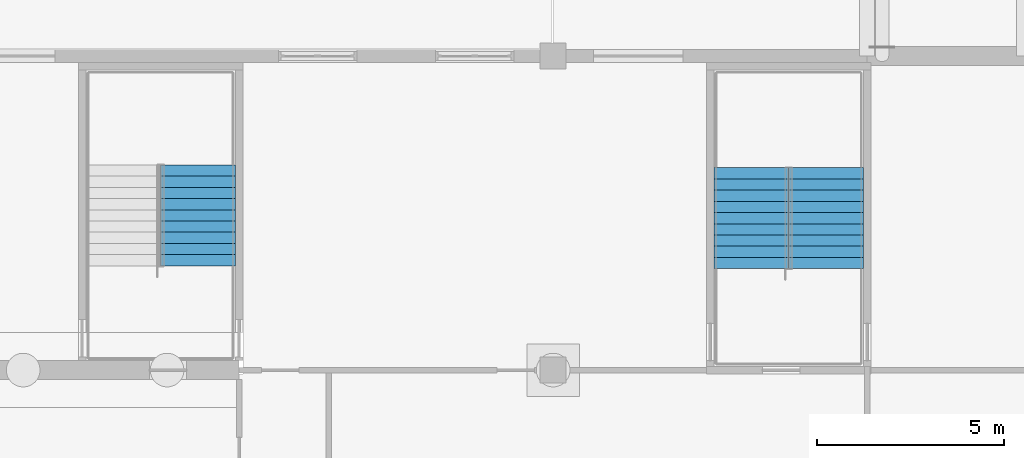
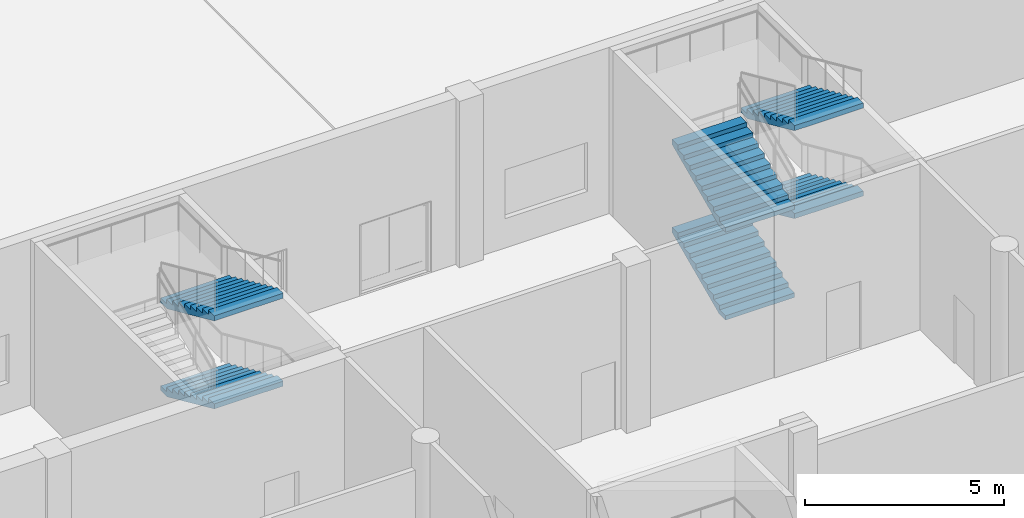
# One storey, part 52 of 74: 6 stair flights, 2 elements without a shape of their own.
"""IFC4 building model written with IfcOpenShell, lengths in metres."""

from ifc_helpers import new_model, si_unit, direction, frame, origin, place, context, subcontext, project, spatial, faceted_brep, material, type_object, element, aggregate, save


model = new_model("IFC4")

# Units and contexts
model_context = context("Model", 3, precision=1e-05, world=origin(), true_north=direction((0.0, 1.0)))
body_context = subcontext(model_context, "Body", "Model", "MODEL_VIEW")
ifc_project = project(units=[si_unit("LENGTHUNIT", "METRE"), si_unit("AREAUNIT", "SQUARE_METRE"), si_unit("VOLUMEUNIT", "CUBIC_METRE"), si_unit("PLANEANGLEUNIT", "RADIAN"), si_unit("MASSUNIT", "GRAM", prefix="KILO")], contexts=[model_context])

# Site, building, storey
site_placement = place(None, origin())
site = spatial("IfcSite", under=ifc_project, at=site_placement, CompositionType="ELEMENT")
building_placement = place(site_placement, origin())
building = spatial("IfcBuilding", under=site, at=building_placement, Name="Rulbaag Community and Learning Centre", CompositionType="ELEMENT")
storey_placement = place(building_placement, origin())
storey = spatial("IfcBuildingStorey", under=building, at=storey_placement, Name="L00", CompositionType="ELEMENT", Elevation=0.0)

# Stair, stair flights
ifc_material = material(Name="Concrete M40", Category="concrete")
stair_type = type_object("IfcStairType", Name="ST-2000 STAIR 2000 WIDE", PredefinedType="HALF_TURN_STAIR", material=ifc_material)
stair_1_placement = place(storey_placement, origin())
stair_1 = element("IfcStair", 1, at=stair_1_placement, inside=storey, type_object=stair_type, Name="Stair ST-H0 L00", PredefinedType="HALF_TURN_STAIR")
stair_flight_type = type_object("IfcStairFlightType", Name="FL-2000 FLIGHT 2000 WIDE Concrete M40", PredefinedType="STRAIGHT", material=ifc_material)
stair_flight_1_placement = place(storey_placement, frame((24.10009765625, 47.487548828125, 1.35009765625), z_axis=(0.0, 0.0, 1.0), x_axis=(0.0, -1.0, 0.0)))
stair_flight_1 = element("IfcStairFlight", 2, at=stair_flight_1_placement, type_object=stair_flight_type, Name="ST-H0 flight 2", NumberOfRisers=10, NumberOfTreads=9, PredefinedType="STRAIGHT", RiserHeight=0.135, TreadLength=0.3, context=body_context, shape_type="Brep", body=[
    faceted_brep([(0.3408203125, -1.0, 0.0), (2.699951171875, -1.0, 1.0615234375), (2.699951171875, -1.0, 1.215087890625), (2.39990234375, -1.0, 1.215087890625), (2.39990234375, -1.0, 1.080078125), (2.10009765625, -1.0, 1.080078125), (2.10009765625, -1.0, 0.945068359375), (1.800048828125, -1.0, 0.945068359375), (1.800048828125, -1.0, 0.81005859375), (1.5, -1.0, 0.81005859375), (1.5, -1.0, 0.675048828125), (1.199951171875, -1.0, 0.675048828125), (1.199951171875, -1.0, 0.5400390625), (0.89990234375, -1.0, 0.5400390625), (0.89990234375, -1.0, 0.405029296875), (0.60009765625, -1.0, 0.405029296875), (0.60009765625, -1.0, 0.27001953125), (0.300048828125, -1.0, 0.27001953125), (0.300048828125, -1.0, 0.135009765625), (0.0, -1.0, 0.135009765625), (0.0, -1.0, 0.0), (0.0, 1.0, 0.0), (0.0, 1.0, 0.135009765625), (0.300048828125, 1.0, 0.135009765625), (0.300048828125, 1.0, 0.27001953125), (0.60009765625, 1.0, 0.27001953125), (0.60009765625, 1.0, 0.405029296875), (0.89990234375, 1.0, 0.405029296875), (0.89990234375, 1.0, 0.5400390625), (1.199951171875, 1.0, 0.5400390625), (1.199951171875, 1.0, 0.675048828125), (1.5, 1.0, 0.675048828125), (1.5, 1.0, 0.81005859375), (1.800048828125, 1.0, 0.81005859375), (1.800048828125, 1.0, 0.945068359375), (2.10009765625, 1.0, 0.945068359375), (2.10009765625, 1.0, 1.080078125), (2.39990234375, 1.0, 1.080078125), (2.39990234375, 1.0, 1.215087890625), (2.699951171875, 1.0, 1.215087890625), (2.699951171875, 1.0, 1.0615234375), (0.3408203125, 1.0, 0.0), (0.0, -0.333251953125, 0.135009765625), (0.0, -0.333251953125, 0.0), (0.0, 0.333251953125, 0.135009765625), (0.0, 0.333251953125, 0.0), (0.300048828125, -0.333251953125, 0.135009765625), (0.300048828125, 0.333251953125, 0.135009765625), (0.300048828125, -0.333251953125, 0.27001953125), (0.300048828125, 0.333251953125, 0.27001953125), (0.60009765625, -0.333251953125, 0.27001953125), (0.60009765625, 0.333251953125, 0.27001953125), (0.60009765625, -0.333251953125, 0.405029296875), (0.60009765625, 0.333251953125, 0.405029296875), (0.89990234375, -0.333251953125, 0.405029296875), (0.89990234375, 0.333251953125, 0.405029296875), (0.89990234375, -0.333251953125, 0.5400390625), (0.89990234375, 0.333251953125, 0.5400390625), (1.199951171875, -0.333251953125, 0.5400390625), (1.199951171875, 0.333251953125, 0.5400390625), (1.199951171875, -0.333251953125, 0.675048828125), (1.199951171875, 0.333251953125, 0.675048828125), (1.5, -0.333251953125, 0.675048828125), (1.5, 0.333251953125, 0.675048828125), (1.5, -0.333251953125, 0.81005859375), (1.5, 0.333251953125, 0.81005859375), (1.800048828125, -0.333251953125, 0.81005859375), (1.800048828125, 0.333251953125, 0.81005859375), (1.800048828125, -0.333251953125, 0.945068359375), (1.800048828125, 0.333251953125, 0.945068359375), (2.10009765625, -0.333251953125, 0.945068359375), (2.10009765625, 0.333251953125, 0.945068359375), (2.10009765625, -0.333251953125, 1.080078125), (2.10009765625, 0.333251953125, 1.080078125), (2.39990234375, -0.333251953125, 1.080078125), (2.39990234375, 0.333251953125, 1.080078125), (2.39990234375, -0.333251953125, 1.215087890625), (2.39990234375, 0.333251953125, 1.215087890625), (2.699951171875, -0.333251953125, 1.215087890625), (2.699951171875, 0.333251953125, 1.215087890625), (2.699951171875, -0.333251953125, 1.0615234375), (2.699951171875, 0.333251953125, 1.0615234375), (0.3408203125, -0.333251953125, 0.0), (0.3408203125, 0.333251953125, 0.0)], [[[0, 1, 2, 3, 4, 5, 6, 7, 8, 9, 10, 11, 12, 13, 14, 15, 16, 17, 18, 19, 20]], [[21, 22, 23, 24, 25, 26, 27, 28, 29, 30, 31, 32, 33, 34, 35, 36, 37, 38, 39, 40, 41]], [[20, 19, 42, 43]], [[43, 42, 44, 45]], [[45, 44, 22, 21]], [[19, 18, 46, 42]], [[42, 46, 47, 44]], [[44, 47, 23, 22]], [[18, 17, 48, 46]], [[46, 48, 49, 47]], [[47, 49, 24, 23]], [[17, 16, 50, 48]], [[48, 50, 51, 49]], [[49, 51, 25, 24]], [[16, 15, 52, 50]], [[50, 52, 53, 51]], [[51, 53, 26, 25]], [[15, 14, 54, 52]], [[52, 54, 55, 53]], [[53, 55, 27, 26]], [[14, 13, 56, 54]], [[54, 56, 57, 55]], [[55, 57, 28, 27]], [[13, 12, 58, 56]], [[56, 58, 59, 57]], [[57, 59, 29, 28]], [[12, 11, 60, 58]], [[58, 60, 61, 59]], [[59, 61, 30, 29]], [[11, 10, 62, 60]], [[60, 62, 63, 61]], [[61, 63, 31, 30]], [[10, 9, 64, 62]], [[62, 64, 65, 63]], [[63, 65, 32, 31]], [[9, 8, 66, 64]], [[64, 66, 67, 65]], [[65, 67, 33, 32]], [[8, 7, 68, 66]], [[66, 68, 69, 67]], [[67, 69, 34, 33]], [[7, 6, 70, 68]], [[68, 70, 71, 69]], [[69, 71, 35, 34]], [[6, 5, 72, 70]], [[70, 72, 73, 71]], [[71, 73, 36, 35]], [[5, 4, 74, 72]], [[72, 74, 75, 73]], [[73, 75, 37, 36]], [[4, 3, 76, 74]], [[74, 76, 77, 75]], [[75, 77, 38, 37]], [[3, 2, 78, 76]], [[76, 78, 79, 77]], [[77, 79, 39, 38]], [[2, 1, 80, 78]], [[78, 80, 81, 79]], [[79, 81, 40, 39]], [[1, 0, 82, 80]], [[80, 82, 83, 81]], [[81, 83, 41, 40]], [[0, 20, 43, 82]], [[82, 43, 45, 83]], [[83, 45, 21, 41]]]),
])
stair_flight_2_placement = place(storey_placement, frame((24.10009765625, 47.487548828125, 4.050048828125), z_axis=(0.0, 0.0, 1.0), x_axis=(0.0, -1.0, 0.0)))
stair_flight_2 = element("IfcStairFlight", 3, at=stair_flight_2_placement, type_object=stair_flight_type, Name="ST-H0 flight 4", NumberOfRisers=10, NumberOfTreads=9, PredefinedType="STRAIGHT", RiserHeight=0.135, TreadLength=0.3, context=body_context, shape_type="Brep", body=[
    faceted_brep([(0.3408203125, -1.0, 0.0), (2.699951171875, -1.0, 1.0615234375), (2.699951171875, -1.0, 1.215087890625), (2.39990234375, -1.0, 1.215087890625), (2.39990234375, -1.0, 1.080078125), (2.10009765625, -1.0, 1.080078125), (2.10009765625, -1.0, 0.945068359375), (1.800048828125, -1.0, 0.945068359375), (1.800048828125, -1.0, 0.81005859375), (1.5, -1.0, 0.81005859375), (1.5, -1.0, 0.675048828125), (1.199951171875, -1.0, 0.675048828125), (1.199951171875, -1.0, 0.5400390625), (0.89990234375, -1.0, 0.5400390625), (0.89990234375, -1.0, 0.405029296875), (0.60009765625, -1.0, 0.405029296875), (0.60009765625, -1.0, 0.27001953125), (0.300048828125, -1.0, 0.27001953125), (0.300048828125, -1.0, 0.135009765625), (0.0, -1.0, 0.135009765625), (0.0, -1.0, 0.0), (0.0, 1.0, 0.0), (0.0, 1.0, 0.135009765625), (0.300048828125, 1.0, 0.135009765625), (0.300048828125, 1.0, 0.27001953125), (0.60009765625, 1.0, 0.27001953125), (0.60009765625, 1.0, 0.405029296875), (0.89990234375, 1.0, 0.405029296875), (0.89990234375, 1.0, 0.5400390625), (1.199951171875, 1.0, 0.5400390625), (1.199951171875, 1.0, 0.675048828125), (1.5, 1.0, 0.675048828125), (1.5, 1.0, 0.81005859375), (1.800048828125, 1.0, 0.81005859375), (1.800048828125, 1.0, 0.945068359375), (2.10009765625, 1.0, 0.945068359375), (2.10009765625, 1.0, 1.080078125), (2.39990234375, 1.0, 1.080078125), (2.39990234375, 1.0, 1.215087890625), (2.699951171875, 1.0, 1.215087890625), (2.699951171875, 1.0, 1.0615234375), (0.3408203125, 1.0, 0.0), (0.0, -0.333251953125, 0.135009765625), (0.0, -0.333251953125, 0.0), (0.0, 0.333251953125, 0.135009765625), (0.0, 0.333251953125, 0.0), (0.300048828125, -0.333251953125, 0.135009765625), (0.300048828125, 0.333251953125, 0.135009765625), (0.300048828125, -0.333251953125, 0.27001953125), (0.300048828125, 0.333251953125, 0.27001953125), (0.60009765625, -0.333251953125, 0.27001953125), (0.60009765625, 0.333251953125, 0.27001953125), (0.60009765625, -0.333251953125, 0.405029296875), (0.60009765625, 0.333251953125, 0.405029296875), (0.89990234375, -0.333251953125, 0.405029296875), (0.89990234375, 0.333251953125, 0.405029296875), (0.89990234375, -0.333251953125, 0.5400390625), (0.89990234375, 0.333251953125, 0.5400390625), (1.199951171875, -0.333251953125, 0.5400390625), (1.199951171875, 0.333251953125, 0.5400390625), (1.199951171875, -0.333251953125, 0.675048828125), (1.199951171875, 0.333251953125, 0.675048828125), (1.5, -0.333251953125, 0.675048828125), (1.5, 0.333251953125, 0.675048828125), (1.5, -0.333251953125, 0.81005859375), (1.5, 0.333251953125, 0.81005859375), (1.800048828125, -0.333251953125, 0.81005859375), (1.800048828125, 0.333251953125, 0.81005859375), (1.800048828125, -0.333251953125, 0.945068359375), (1.800048828125, 0.333251953125, 0.945068359375), (2.10009765625, -0.333251953125, 0.945068359375), (2.10009765625, 0.333251953125, 0.945068359375), (2.10009765625, -0.333251953125, 1.080078125), (2.10009765625, 0.333251953125, 1.080078125), (2.39990234375, -0.333251953125, 1.080078125), (2.39990234375, 0.333251953125, 1.080078125), (2.39990234375, -0.333251953125, 1.215087890625), (2.39990234375, 0.333251953125, 1.215087890625), (2.699951171875, -0.333251953125, 1.215087890625), (2.699951171875, 0.333251953125, 1.215087890625), (2.699951171875, -0.333251953125, 1.0615234375), (2.699951171875, 0.333251953125, 1.0615234375), (0.3408203125, -0.333251953125, 0.0), (0.3408203125, 0.333251953125, 0.0)], [[[0, 1, 2, 3, 4, 5, 6, 7, 8, 9, 10, 11, 12, 13, 14, 15, 16, 17, 18, 19, 20]], [[21, 22, 23, 24, 25, 26, 27, 28, 29, 30, 31, 32, 33, 34, 35, 36, 37, 38, 39, 40, 41]], [[20, 19, 42, 43]], [[43, 42, 44, 45]], [[45, 44, 22, 21]], [[19, 18, 46, 42]], [[42, 46, 47, 44]], [[44, 47, 23, 22]], [[18, 17, 48, 46]], [[46, 48, 49, 47]], [[47, 49, 24, 23]], [[17, 16, 50, 48]], [[48, 50, 51, 49]], [[49, 51, 25, 24]], [[16, 15, 52, 50]], [[50, 52, 53, 51]], [[51, 53, 26, 25]], [[15, 14, 54, 52]], [[52, 54, 55, 53]], [[53, 55, 27, 26]], [[14, 13, 56, 54]], [[54, 56, 57, 55]], [[55, 57, 28, 27]], [[13, 12, 58, 56]], [[56, 58, 59, 57]], [[57, 59, 29, 28]], [[12, 11, 60, 58]], [[58, 60, 61, 59]], [[59, 61, 30, 29]], [[11, 10, 62, 60]], [[60, 62, 63, 61]], [[61, 63, 31, 30]], [[10, 9, 64, 62]], [[62, 64, 65, 63]], [[63, 65, 32, 31]], [[9, 8, 66, 64]], [[64, 66, 67, 65]], [[65, 67, 33, 32]], [[8, 7, 68, 66]], [[66, 68, 69, 67]], [[67, 69, 34, 33]], [[7, 6, 70, 68]], [[68, 70, 71, 69]], [[69, 71, 35, 34]], [[6, 5, 72, 70]], [[70, 72, 73, 71]], [[71, 73, 36, 35]], [[5, 4, 74, 72]], [[72, 74, 75, 73]], [[73, 75, 37, 36]], [[4, 3, 76, 74]], [[74, 76, 77, 75]], [[75, 77, 38, 37]], [[3, 2, 78, 76]], [[76, 78, 79, 77]], [[77, 79, 39, 38]], [[2, 1, 80, 78]], [[78, 80, 81, 79]], [[79, 81, 40, 39]], [[1, 0, 82, 80]], [[80, 82, 83, 81]], [[81, 83, 41, 40]], [[0, 20, 43, 82]], [[82, 43, 45, 83]], [[83, 45, 21, 41]]]),
])
aggregate(stair_1, [stair_flight_1, stair_flight_2])

stair_2_placement = place(storey_placement, origin())
stair_2 = element("IfcStair", 4, at=stair_2_placement, inside=storey, type_object=stair_type, Name="Stair ST-H5 L00", PredefinedType="HALF_TURN_STAIR")
stair_flight_3_placement = place(storey_placement, frame((38.89990234375, 44.71240234375, 0.0), z_axis=(0.0, 0.0, 1.0), x_axis=(0.0, 1.0, 0.0)))
stair_flight_3 = element("IfcStairFlight", 5, at=stair_flight_3_placement, type_object=stair_flight_type, Name="ST-H5 flight 1", NumberOfRisers=10, NumberOfTreads=9, PredefinedType="STRAIGHT", RiserHeight=0.135, TreadLength=0.3, context=body_context, shape_type="Brep", body=[
    faceted_brep([(0.3408203125, -1.0, 0.0), (2.699951171875, -1.0, 1.0615234375), (2.699951171875, -1.0, 1.215087890625), (2.39990234375, -1.0, 1.215087890625), (2.39990234375, -1.0, 1.080078125), (2.10009765625, -1.0, 1.080078125), (2.10009765625, -1.0, 0.945068359375), (1.800048828125, -1.0, 0.945068359375), (1.800048828125, -1.0, 0.81005859375), (1.5, -1.0, 0.81005859375), (1.5, -1.0, 0.675048828125), (1.199951171875, -1.0, 0.675048828125), (1.199951171875, -1.0, 0.5400390625), (0.89990234375, -1.0, 0.5400390625), (0.89990234375, -1.0, 0.405029296875), (0.60009765625, -1.0, 0.405029296875), (0.60009765625, -1.0, 0.27001953125), (0.300048828125, -1.0, 0.27001953125), (0.300048828125, -1.0, 0.135009765625), (0.0, -1.0, 0.135009765625), (0.0, -1.0, 0.0), (0.0, 1.0, 0.0), (0.0, 1.0, 0.135009765625), (0.300048828125, 1.0, 0.135009765625), (0.300048828125, 1.0, 0.27001953125), (0.60009765625, 1.0, 0.27001953125), (0.60009765625, 1.0, 0.405029296875), (0.89990234375, 1.0, 0.405029296875), (0.89990234375, 1.0, 0.5400390625), (1.199951171875, 1.0, 0.5400390625), (1.199951171875, 1.0, 0.675048828125), (1.5, 1.0, 0.675048828125), (1.5, 1.0, 0.81005859375), (1.800048828125, 1.0, 0.81005859375), (1.800048828125, 1.0, 0.945068359375), (2.10009765625, 1.0, 0.945068359375), (2.10009765625, 1.0, 1.080078125), (2.39990234375, 1.0, 1.080078125), (2.39990234375, 1.0, 1.215087890625), (2.699951171875, 1.0, 1.215087890625), (2.699951171875, 1.0, 1.0615234375), (0.3408203125, 1.0, 0.0), (0.0, -0.333251953125, 0.135009765625), (0.0, -0.333251953125, 0.0), (0.0, 0.333251953125, 0.135009765625), (0.0, 0.333251953125, 0.0), (0.300048828125, -0.333251953125, 0.135009765625), (0.300048828125, 0.333251953125, 0.135009765625), (0.300048828125, -0.333251953125, 0.27001953125), (0.300048828125, 0.333251953125, 0.27001953125), (0.60009765625, -0.333251953125, 0.27001953125), (0.60009765625, 0.333251953125, 0.27001953125), (0.60009765625, -0.333251953125, 0.405029296875), (0.60009765625, 0.333251953125, 0.405029296875), (0.89990234375, -0.333251953125, 0.405029296875), (0.89990234375, 0.333251953125, 0.405029296875), (0.89990234375, -0.333251953125, 0.5400390625), (0.89990234375, 0.333251953125, 0.5400390625), (1.199951171875, -0.333251953125, 0.5400390625), (1.199951171875, 0.333251953125, 0.5400390625), (1.199951171875, -0.333251953125, 0.675048828125), (1.199951171875, 0.333251953125, 0.675048828125), (1.5, -0.333251953125, 0.675048828125), (1.5, 0.333251953125, 0.675048828125), (1.5, -0.333251953125, 0.81005859375), (1.5, 0.333251953125, 0.81005859375), (1.800048828125, -0.333251953125, 0.81005859375), (1.800048828125, 0.333251953125, 0.81005859375), (1.800048828125, -0.333251953125, 0.945068359375), (1.800048828125, 0.333251953125, 0.945068359375), (2.10009765625, -0.333251953125, 0.945068359375), (2.10009765625, 0.333251953125, 0.945068359375), (2.10009765625, -0.333251953125, 1.080078125), (2.10009765625, 0.333251953125, 1.080078125), (2.39990234375, -0.333251953125, 1.080078125), (2.39990234375, 0.333251953125, 1.080078125), (2.39990234375, -0.333251953125, 1.215087890625), (2.39990234375, 0.333251953125, 1.215087890625), (2.699951171875, -0.333251953125, 1.215087890625), (2.699951171875, 0.333251953125, 1.215087890625), (2.699951171875, -0.333251953125, 1.0615234375), (2.699951171875, 0.333251953125, 1.0615234375), (0.3408203125, -0.333251953125, 0.0), (0.3408203125, 0.333251953125, 0.0)], [[[0, 1, 2, 3, 4, 5, 6, 7, 8, 9, 10, 11, 12, 13, 14, 15, 16, 17, 18, 19, 20]], [[21, 22, 23, 24, 25, 26, 27, 28, 29, 30, 31, 32, 33, 34, 35, 36, 37, 38, 39, 40, 41]], [[20, 19, 42, 43]], [[43, 42, 44, 45]], [[45, 44, 22, 21]], [[19, 18, 46, 42]], [[42, 46, 47, 44]], [[44, 47, 23, 22]], [[18, 17, 48, 46]], [[46, 48, 49, 47]], [[47, 49, 24, 23]], [[17, 16, 50, 48]], [[48, 50, 51, 49]], [[49, 51, 25, 24]], [[16, 15, 52, 50]], [[50, 52, 53, 51]], [[51, 53, 26, 25]], [[15, 14, 54, 52]], [[52, 54, 55, 53]], [[53, 55, 27, 26]], [[14, 13, 56, 54]], [[54, 56, 57, 55]], [[55, 57, 28, 27]], [[13, 12, 58, 56]], [[56, 58, 59, 57]], [[57, 59, 29, 28]], [[12, 11, 60, 58]], [[58, 60, 61, 59]], [[59, 61, 30, 29]], [[11, 10, 62, 60]], [[60, 62, 63, 61]], [[61, 63, 31, 30]], [[10, 9, 64, 62]], [[62, 64, 65, 63]], [[63, 65, 32, 31]], [[9, 8, 66, 64]], [[64, 66, 67, 65]], [[65, 67, 33, 32]], [[8, 7, 68, 66]], [[66, 68, 69, 67]], [[67, 69, 34, 33]], [[7, 6, 70, 68]], [[68, 70, 71, 69]], [[69, 71, 35, 34]], [[6, 5, 72, 70]], [[70, 72, 73, 71]], [[71, 73, 36, 35]], [[5, 4, 74, 72]], [[72, 74, 75, 73]], [[73, 75, 37, 36]], [[4, 3, 76, 74]], [[74, 76, 77, 75]], [[75, 77, 38, 37]], [[3, 2, 78, 76]], [[76, 78, 79, 77]], [[77, 79, 39, 38]], [[2, 1, 80, 78]], [[78, 80, 81, 79]], [[79, 81, 40, 39]], [[1, 0, 82, 80]], [[80, 82, 83, 81]], [[81, 83, 41, 40]], [[0, 20, 43, 82]], [[82, 43, 45, 83]], [[83, 45, 21, 41]]]),
])
stair_flight_4_placement = place(storey_placement, frame((40.89990234375, 47.41259765625, 1.35009765625), z_axis=(0.0, 0.0, 1.0), x_axis=(0.0, -1.0, 0.0)))
stair_flight_4 = element("IfcStairFlight", 6, at=stair_flight_4_placement, type_object=stair_flight_type, Name="ST-H5 flight 2", NumberOfRisers=10, NumberOfTreads=9, PredefinedType="STRAIGHT", RiserHeight=0.135, TreadLength=0.3, context=body_context, shape_type="Brep", body=[
    faceted_brep([(0.3408203125, -1.0, 0.0), (2.699951171875, -1.0, 1.0615234375), (2.699951171875, -1.0, 1.215087890625), (2.39990234375, -1.0, 1.215087890625), (2.39990234375, -1.0, 1.080078125), (2.10009765625, -1.0, 1.080078125), (2.10009765625, -1.0, 0.945068359375), (1.800048828125, -1.0, 0.945068359375), (1.800048828125, -1.0, 0.81005859375), (1.5, -1.0, 0.81005859375), (1.5, -1.0, 0.675048828125), (1.199951171875, -1.0, 0.675048828125), (1.199951171875, -1.0, 0.5400390625), (0.89990234375, -1.0, 0.5400390625), (0.89990234375, -1.0, 0.405029296875), (0.60009765625, -1.0, 0.405029296875), (0.60009765625, -1.0, 0.27001953125), (0.300048828125, -1.0, 0.27001953125), (0.300048828125, -1.0, 0.135009765625), (0.0, -1.0, 0.135009765625), (0.0, -1.0, 0.0), (0.0, 1.0, 0.0), (0.0, 1.0, 0.135009765625), (0.300048828125, 1.0, 0.135009765625), (0.300048828125, 1.0, 0.27001953125), (0.60009765625, 1.0, 0.27001953125), (0.60009765625, 1.0, 0.405029296875), (0.89990234375, 1.0, 0.405029296875), (0.89990234375, 1.0, 0.5400390625), (1.199951171875, 1.0, 0.5400390625), (1.199951171875, 1.0, 0.675048828125), (1.5, 1.0, 0.675048828125), (1.5, 1.0, 0.81005859375), (1.800048828125, 1.0, 0.81005859375), (1.800048828125, 1.0, 0.945068359375), (2.10009765625, 1.0, 0.945068359375), (2.10009765625, 1.0, 1.080078125), (2.39990234375, 1.0, 1.080078125), (2.39990234375, 1.0, 1.215087890625), (2.699951171875, 1.0, 1.215087890625), (2.699951171875, 1.0, 1.0615234375), (0.3408203125, 1.0, 0.0), (0.0, -0.333251953125, 0.135009765625), (0.0, -0.333251953125, 0.0), (0.0, 0.333251953125, 0.135009765625), (0.0, 0.333251953125, 0.0), (0.300048828125, -0.333251953125, 0.135009765625), (0.300048828125, 0.333251953125, 0.135009765625), (0.300048828125, -0.333251953125, 0.27001953125), (0.300048828125, 0.333251953125, 0.27001953125), (0.60009765625, -0.333251953125, 0.27001953125), (0.60009765625, 0.333251953125, 0.27001953125), (0.60009765625, -0.333251953125, 0.405029296875), (0.60009765625, 0.333251953125, 0.405029296875), (0.89990234375, -0.333251953125, 0.405029296875), (0.89990234375, 0.333251953125, 0.405029296875), (0.89990234375, -0.333251953125, 0.5400390625), (0.89990234375, 0.333251953125, 0.5400390625), (1.199951171875, -0.333251953125, 0.5400390625), (1.199951171875, 0.333251953125, 0.5400390625), (1.199951171875, -0.333251953125, 0.675048828125), (1.199951171875, 0.333251953125, 0.675048828125), (1.5, -0.333251953125, 0.675048828125), (1.5, 0.333251953125, 0.675048828125), (1.5, -0.333251953125, 0.81005859375), (1.5, 0.333251953125, 0.81005859375), (1.800048828125, -0.333251953125, 0.81005859375), (1.800048828125, 0.333251953125, 0.81005859375), (1.800048828125, -0.333251953125, 0.945068359375), (1.800048828125, 0.333251953125, 0.945068359375), (2.10009765625, -0.333251953125, 0.945068359375), (2.10009765625, 0.333251953125, 0.945068359375), (2.10009765625, -0.333251953125, 1.080078125), (2.10009765625, 0.333251953125, 1.080078125), (2.39990234375, -0.333251953125, 1.080078125), (2.39990234375, 0.333251953125, 1.080078125), (2.39990234375, -0.333251953125, 1.215087890625), (2.39990234375, 0.333251953125, 1.215087890625), (2.699951171875, -0.333251953125, 1.215087890625), (2.699951171875, 0.333251953125, 1.215087890625), (2.699951171875, -0.333251953125, 1.0615234375), (2.699951171875, 0.333251953125, 1.0615234375), (0.3408203125, -0.333251953125, 0.0), (0.3408203125, 0.333251953125, 0.0)], [[[0, 1, 2, 3, 4, 5, 6, 7, 8, 9, 10, 11, 12, 13, 14, 15, 16, 17, 18, 19, 20]], [[21, 22, 23, 24, 25, 26, 27, 28, 29, 30, 31, 32, 33, 34, 35, 36, 37, 38, 39, 40, 41]], [[20, 19, 42, 43]], [[43, 42, 44, 45]], [[45, 44, 22, 21]], [[19, 18, 46, 42]], [[42, 46, 47, 44]], [[44, 47, 23, 22]], [[18, 17, 48, 46]], [[46, 48, 49, 47]], [[47, 49, 24, 23]], [[17, 16, 50, 48]], [[48, 50, 51, 49]], [[49, 51, 25, 24]], [[16, 15, 52, 50]], [[50, 52, 53, 51]], [[51, 53, 26, 25]], [[15, 14, 54, 52]], [[52, 54, 55, 53]], [[53, 55, 27, 26]], [[14, 13, 56, 54]], [[54, 56, 57, 55]], [[55, 57, 28, 27]], [[13, 12, 58, 56]], [[56, 58, 59, 57]], [[57, 59, 29, 28]], [[12, 11, 60, 58]], [[58, 60, 61, 59]], [[59, 61, 30, 29]], [[11, 10, 62, 60]], [[60, 62, 63, 61]], [[61, 63, 31, 30]], [[10, 9, 64, 62]], [[62, 64, 65, 63]], [[63, 65, 32, 31]], [[9, 8, 66, 64]], [[64, 66, 67, 65]], [[65, 67, 33, 32]], [[8, 7, 68, 66]], [[66, 68, 69, 67]], [[67, 69, 34, 33]], [[7, 6, 70, 68]], [[68, 70, 71, 69]], [[69, 71, 35, 34]], [[6, 5, 72, 70]], [[70, 72, 73, 71]], [[71, 73, 36, 35]], [[5, 4, 74, 72]], [[72, 74, 75, 73]], [[73, 75, 37, 36]], [[4, 3, 76, 74]], [[74, 76, 77, 75]], [[75, 77, 38, 37]], [[3, 2, 78, 76]], [[76, 78, 79, 77]], [[77, 79, 39, 38]], [[2, 1, 80, 78]], [[78, 80, 81, 79]], [[79, 81, 40, 39]], [[1, 0, 82, 80]], [[80, 82, 83, 81]], [[81, 83, 41, 40]], [[0, 20, 43, 82]], [[82, 43, 45, 83]], [[83, 45, 21, 41]]]),
])
stair_flight_5_placement = place(storey_placement, frame((38.89990234375, 44.71240234375, 2.699951171875), z_axis=(0.0, 0.0, 1.0), x_axis=(0.0, 1.0, 0.0)))
stair_flight_5 = element("IfcStairFlight", 7, at=stair_flight_5_placement, type_object=stair_flight_type, Name="ST-H5 flight 3", NumberOfRisers=10, NumberOfTreads=9, PredefinedType="STRAIGHT", RiserHeight=0.135, TreadLength=0.3, context=body_context, shape_type="Brep", body=[
    faceted_brep([(0.3408203125, -1.0, 0.0), (2.699951171875, -1.0, 1.0615234375), (2.699951171875, -1.0, 1.215087890625), (2.39990234375, -1.0, 1.215087890625), (2.39990234375, -1.0, 1.080078125), (2.10009765625, -1.0, 1.080078125), (2.10009765625, -1.0, 0.945068359375), (1.800048828125, -1.0, 0.945068359375), (1.800048828125, -1.0, 0.81005859375), (1.5, -1.0, 0.81005859375), (1.5, -1.0, 0.675048828125), (1.199951171875, -1.0, 0.675048828125), (1.199951171875, -1.0, 0.5400390625), (0.89990234375, -1.0, 0.5400390625), (0.89990234375, -1.0, 0.405029296875), (0.60009765625, -1.0, 0.405029296875), (0.60009765625, -1.0, 0.27001953125), (0.300048828125, -1.0, 0.27001953125), (0.300048828125, -1.0, 0.135009765625), (0.0, -1.0, 0.135009765625), (0.0, -1.0, 0.0), (0.0, 1.0, 0.0), (0.0, 1.0, 0.135009765625), (0.300048828125, 1.0, 0.135009765625), (0.300048828125, 1.0, 0.27001953125), (0.60009765625, 1.0, 0.27001953125), (0.60009765625, 1.0, 0.405029296875), (0.89990234375, 1.0, 0.405029296875), (0.89990234375, 1.0, 0.5400390625), (1.199951171875, 1.0, 0.5400390625), (1.199951171875, 1.0, 0.675048828125), (1.5, 1.0, 0.675048828125), (1.5, 1.0, 0.81005859375), (1.800048828125, 1.0, 0.81005859375), (1.800048828125, 1.0, 0.945068359375), (2.10009765625, 1.0, 0.945068359375), (2.10009765625, 1.0, 1.080078125), (2.39990234375, 1.0, 1.080078125), (2.39990234375, 1.0, 1.215087890625), (2.699951171875, 1.0, 1.215087890625), (2.699951171875, 1.0, 1.0615234375), (0.3408203125, 1.0, 0.0), (0.0, -0.333251953125, 0.135009765625), (0.0, -0.333251953125, 0.0), (0.0, 0.333251953125, 0.135009765625), (0.0, 0.333251953125, 0.0), (0.300048828125, -0.333251953125, 0.135009765625), (0.300048828125, 0.333251953125, 0.135009765625), (0.300048828125, -0.333251953125, 0.27001953125), (0.300048828125, 0.333251953125, 0.27001953125), (0.60009765625, -0.333251953125, 0.27001953125), (0.60009765625, 0.333251953125, 0.27001953125), (0.60009765625, -0.333251953125, 0.405029296875), (0.60009765625, 0.333251953125, 0.405029296875), (0.89990234375, -0.333251953125, 0.405029296875), (0.89990234375, 0.333251953125, 0.405029296875), (0.89990234375, -0.333251953125, 0.5400390625), (0.89990234375, 0.333251953125, 0.5400390625), (1.199951171875, -0.333251953125, 0.5400390625), (1.199951171875, 0.333251953125, 0.5400390625), (1.199951171875, -0.333251953125, 0.675048828125), (1.199951171875, 0.333251953125, 0.675048828125), (1.5, -0.333251953125, 0.675048828125), (1.5, 0.333251953125, 0.675048828125), (1.5, -0.333251953125, 0.81005859375), (1.5, 0.333251953125, 0.81005859375), (1.800048828125, -0.333251953125, 0.81005859375), (1.800048828125, 0.333251953125, 0.81005859375), (1.800048828125, -0.333251953125, 0.945068359375), (1.800048828125, 0.333251953125, 0.945068359375), (2.10009765625, -0.333251953125, 0.945068359375), (2.10009765625, 0.333251953125, 0.945068359375), (2.10009765625, -0.333251953125, 1.080078125), (2.10009765625, 0.333251953125, 1.080078125), (2.39990234375, -0.333251953125, 1.080078125), (2.39990234375, 0.333251953125, 1.080078125), (2.39990234375, -0.333251953125, 1.215087890625), (2.39990234375, 0.333251953125, 1.215087890625), (2.699951171875, -0.333251953125, 1.215087890625), (2.699951171875, 0.333251953125, 1.215087890625), (2.699951171875, -0.333251953125, 1.0615234375), (2.699951171875, 0.333251953125, 1.0615234375), (0.3408203125, -0.333251953125, 0.0), (0.3408203125, 0.333251953125, 0.0)], [[[0, 1, 2, 3, 4, 5, 6, 7, 8, 9, 10, 11, 12, 13, 14, 15, 16, 17, 18, 19, 20]], [[21, 22, 23, 24, 25, 26, 27, 28, 29, 30, 31, 32, 33, 34, 35, 36, 37, 38, 39, 40, 41]], [[20, 19, 42, 43]], [[43, 42, 44, 45]], [[45, 44, 22, 21]], [[19, 18, 46, 42]], [[42, 46, 47, 44]], [[44, 47, 23, 22]], [[18, 17, 48, 46]], [[46, 48, 49, 47]], [[47, 49, 24, 23]], [[17, 16, 50, 48]], [[48, 50, 51, 49]], [[49, 51, 25, 24]], [[16, 15, 52, 50]], [[50, 52, 53, 51]], [[51, 53, 26, 25]], [[15, 14, 54, 52]], [[52, 54, 55, 53]], [[53, 55, 27, 26]], [[14, 13, 56, 54]], [[54, 56, 57, 55]], [[55, 57, 28, 27]], [[13, 12, 58, 56]], [[56, 58, 59, 57]], [[57, 59, 29, 28]], [[12, 11, 60, 58]], [[58, 60, 61, 59]], [[59, 61, 30, 29]], [[11, 10, 62, 60]], [[60, 62, 63, 61]], [[61, 63, 31, 30]], [[10, 9, 64, 62]], [[62, 64, 65, 63]], [[63, 65, 32, 31]], [[9, 8, 66, 64]], [[64, 66, 67, 65]], [[65, 67, 33, 32]], [[8, 7, 68, 66]], [[66, 68, 69, 67]], [[67, 69, 34, 33]], [[7, 6, 70, 68]], [[68, 70, 71, 69]], [[69, 71, 35, 34]], [[6, 5, 72, 70]], [[70, 72, 73, 71]], [[71, 73, 36, 35]], [[5, 4, 74, 72]], [[72, 74, 75, 73]], [[73, 75, 37, 36]], [[4, 3, 76, 74]], [[74, 76, 77, 75]], [[75, 77, 38, 37]], [[3, 2, 78, 76]], [[76, 78, 79, 77]], [[77, 79, 39, 38]], [[2, 1, 80, 78]], [[78, 80, 81, 79]], [[79, 81, 40, 39]], [[1, 0, 82, 80]], [[80, 82, 83, 81]], [[81, 83, 41, 40]], [[0, 20, 43, 82]], [[82, 43, 45, 83]], [[83, 45, 21, 41]]]),
])
stair_flight_6_placement = place(storey_placement, frame((40.89990234375, 47.41259765625, 4.050048828125), z_axis=(0.0, 0.0, 1.0), x_axis=(0.0, -1.0, 0.0)))
stair_flight_6 = element("IfcStairFlight", 8, at=stair_flight_6_placement, type_object=stair_flight_type, Name="ST-H5 flight 4", NumberOfRisers=10, NumberOfTreads=9, PredefinedType="STRAIGHT", RiserHeight=0.135, TreadLength=0.3, context=body_context, shape_type="Brep", body=[
    faceted_brep([(0.3408203125, -1.0, 0.0), (2.699951171875, -1.0, 1.0615234375), (2.699951171875, -1.0, 1.215087890625), (2.39990234375, -1.0, 1.215087890625), (2.39990234375, -1.0, 1.080078125), (2.10009765625, -1.0, 1.080078125), (2.10009765625, -1.0, 0.945068359375), (1.800048828125, -1.0, 0.945068359375), (1.800048828125, -1.0, 0.81005859375), (1.5, -1.0, 0.81005859375), (1.5, -1.0, 0.675048828125), (1.199951171875, -1.0, 0.675048828125), (1.199951171875, -1.0, 0.5400390625), (0.89990234375, -1.0, 0.5400390625), (0.89990234375, -1.0, 0.405029296875), (0.60009765625, -1.0, 0.405029296875), (0.60009765625, -1.0, 0.27001953125), (0.300048828125, -1.0, 0.27001953125), (0.300048828125, -1.0, 0.135009765625), (0.0, -1.0, 0.135009765625), (0.0, -1.0, 0.0), (0.0, 1.0, 0.0), (0.0, 1.0, 0.135009765625), (0.300048828125, 1.0, 0.135009765625), (0.300048828125, 1.0, 0.27001953125), (0.60009765625, 1.0, 0.27001953125), (0.60009765625, 1.0, 0.405029296875), (0.89990234375, 1.0, 0.405029296875), (0.89990234375, 1.0, 0.5400390625), (1.199951171875, 1.0, 0.5400390625), (1.199951171875, 1.0, 0.675048828125), (1.5, 1.0, 0.675048828125), (1.5, 1.0, 0.81005859375), (1.800048828125, 1.0, 0.81005859375), (1.800048828125, 1.0, 0.945068359375), (2.10009765625, 1.0, 0.945068359375), (2.10009765625, 1.0, 1.080078125), (2.39990234375, 1.0, 1.080078125), (2.39990234375, 1.0, 1.215087890625), (2.699951171875, 1.0, 1.215087890625), (2.699951171875, 1.0, 1.0615234375), (0.3408203125, 1.0, 0.0), (0.0, -0.333251953125, 0.135009765625), (0.0, -0.333251953125, 0.0), (0.0, 0.333251953125, 0.135009765625), (0.0, 0.333251953125, 0.0), (0.300048828125, -0.333251953125, 0.135009765625), (0.300048828125, 0.333251953125, 0.135009765625), (0.300048828125, -0.333251953125, 0.27001953125), (0.300048828125, 0.333251953125, 0.27001953125), (0.60009765625, -0.333251953125, 0.27001953125), (0.60009765625, 0.333251953125, 0.27001953125), (0.60009765625, -0.333251953125, 0.405029296875), (0.60009765625, 0.333251953125, 0.405029296875), (0.89990234375, -0.333251953125, 0.405029296875), (0.89990234375, 0.333251953125, 0.405029296875), (0.89990234375, -0.333251953125, 0.5400390625), (0.89990234375, 0.333251953125, 0.5400390625), (1.199951171875, -0.333251953125, 0.5400390625), (1.199951171875, 0.333251953125, 0.5400390625), (1.199951171875, -0.333251953125, 0.675048828125), (1.199951171875, 0.333251953125, 0.675048828125), (1.5, -0.333251953125, 0.675048828125), (1.5, 0.333251953125, 0.675048828125), (1.5, -0.333251953125, 0.81005859375), (1.5, 0.333251953125, 0.81005859375), (1.800048828125, -0.333251953125, 0.81005859375), (1.800048828125, 0.333251953125, 0.81005859375), (1.800048828125, -0.333251953125, 0.945068359375), (1.800048828125, 0.333251953125, 0.945068359375), (2.10009765625, -0.333251953125, 0.945068359375), (2.10009765625, 0.333251953125, 0.945068359375), (2.10009765625, -0.333251953125, 1.080078125), (2.10009765625, 0.333251953125, 1.080078125), (2.39990234375, -0.333251953125, 1.080078125), (2.39990234375, 0.333251953125, 1.080078125), (2.39990234375, -0.333251953125, 1.215087890625), (2.39990234375, 0.333251953125, 1.215087890625), (2.699951171875, -0.333251953125, 1.215087890625), (2.699951171875, 0.333251953125, 1.215087890625), (2.699951171875, -0.333251953125, 1.0615234375), (2.699951171875, 0.333251953125, 1.0615234375), (0.3408203125, -0.333251953125, 0.0), (0.3408203125, 0.333251953125, 0.0)], [[[0, 1, 2, 3, 4, 5, 6, 7, 8, 9, 10, 11, 12, 13, 14, 15, 16, 17, 18, 19, 20]], [[21, 22, 23, 24, 25, 26, 27, 28, 29, 30, 31, 32, 33, 34, 35, 36, 37, 38, 39, 40, 41]], [[20, 19, 42, 43]], [[43, 42, 44, 45]], [[45, 44, 22, 21]], [[19, 18, 46, 42]], [[42, 46, 47, 44]], [[44, 47, 23, 22]], [[18, 17, 48, 46]], [[46, 48, 49, 47]], [[47, 49, 24, 23]], [[17, 16, 50, 48]], [[48, 50, 51, 49]], [[49, 51, 25, 24]], [[16, 15, 52, 50]], [[50, 52, 53, 51]], [[51, 53, 26, 25]], [[15, 14, 54, 52]], [[52, 54, 55, 53]], [[53, 55, 27, 26]], [[14, 13, 56, 54]], [[54, 56, 57, 55]], [[55, 57, 28, 27]], [[13, 12, 58, 56]], [[56, 58, 59, 57]], [[57, 59, 29, 28]], [[12, 11, 60, 58]], [[58, 60, 61, 59]], [[59, 61, 30, 29]], [[11, 10, 62, 60]], [[60, 62, 63, 61]], [[61, 63, 31, 30]], [[10, 9, 64, 62]], [[62, 64, 65, 63]], [[63, 65, 32, 31]], [[9, 8, 66, 64]], [[64, 66, 67, 65]], [[65, 67, 33, 32]], [[8, 7, 68, 66]], [[66, 68, 69, 67]], [[67, 69, 34, 33]], [[7, 6, 70, 68]], [[68, 70, 71, 69]], [[69, 71, 35, 34]], [[6, 5, 72, 70]], [[70, 72, 73, 71]], [[71, 73, 36, 35]], [[5, 4, 74, 72]], [[72, 74, 75, 73]], [[73, 75, 37, 36]], [[4, 3, 76, 74]], [[74, 76, 77, 75]], [[75, 77, 38, 37]], [[3, 2, 78, 76]], [[76, 78, 79, 77]], [[77, 79, 39, 38]], [[2, 1, 80, 78]], [[78, 80, 81, 79]], [[79, 81, 40, 39]], [[1, 0, 82, 80]], [[80, 82, 83, 81]], [[81, 83, 41, 40]], [[0, 20, 43, 82]], [[82, 43, 45, 83]], [[83, 45, 21, 41]]]),
])
aggregate(stair_2, [stair_flight_3, stair_flight_4, stair_flight_5, stair_flight_6])

save(model, "model.ifc")
